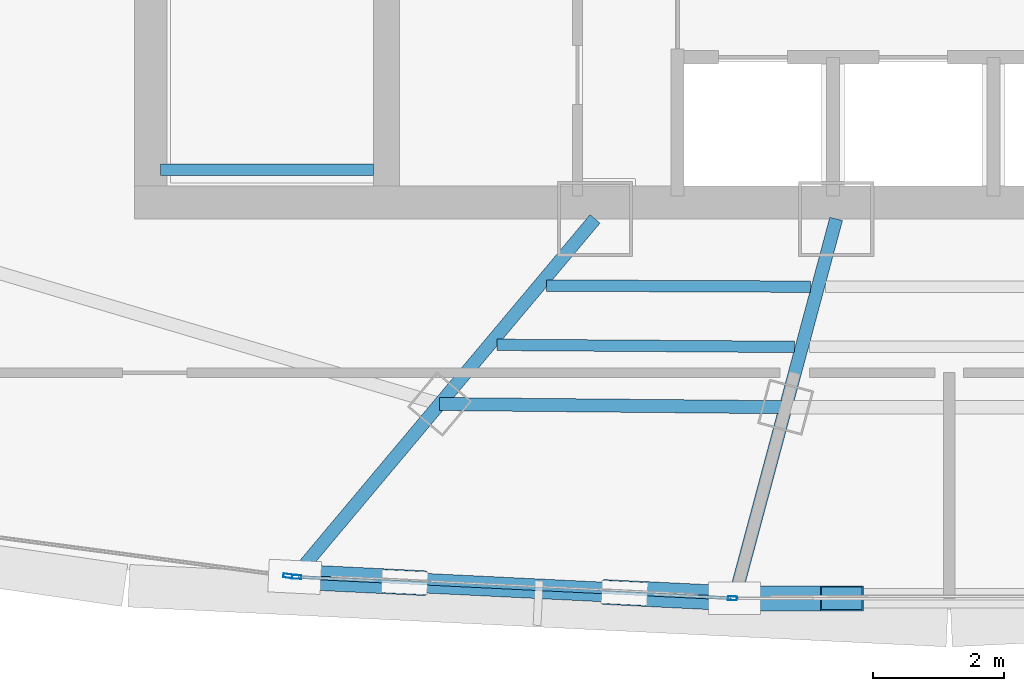
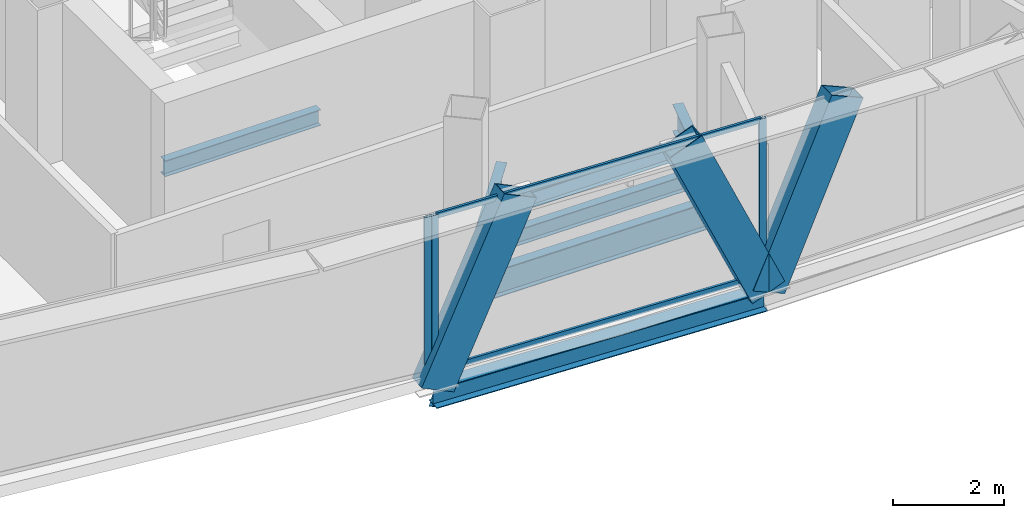
# One storey, part 4 of 28: 8 members, 7 beams, 2 elements without a shape of their own.
"""IFC4 building model written with IfcOpenShell, lengths in metres."""

import ifcopenshell
import ifcopenshell.guid

model = None  # the IFC model being written
_history = None  # IfcOwnerHistory: only IFC2X3 demands one
_inside = {}  # id of a spatial element -> (the spatial element, [elements in it])
_under = {}  # id of a project, library or spatial element -> (it, [spatial elements below it])
_declared = {}  # id of a project -> (the project, [libraries it declares])
_typed = {}  # id of a type object -> (the type object, [elements of that type])
_made_of = {}  # id of a material, layer set ... -> (it, [elements and type objects made of it])


def new_model(schema):
    """Start an empty IFC model of exactly this schema.

    Asked for "IFC4X3", IfcOpenShell would pick the latest addendum, in which some entities
    have other attributes; the version numbers below select the first issue.
    IFC2X3 requires an IfcOwnerHistory on every rooted entity: one is made here for all.
    """
    global model, _history
    if schema == "IFC4X3":
        model = ifcopenshell.file(schema_version=(4, 3, 0, 0))
    else:
        model = ifcopenshell.file(schema=schema)
    _inside.clear()
    _under.clear()
    _declared.clear()
    _typed.clear()
    _made_of.clear()
    _history = None
    if model.schema == "IFC2X3":
        org = make("IfcOrganization", Name="unknown")
        user = make(
            "IfcPersonAndOrganization",
            ThePerson=make("IfcPerson", FamilyName="unknown"),
            TheOrganization=org,
        )
        app = make(
            "IfcApplication",
            ApplicationDeveloper=org,
            Version="unknown",
            ApplicationFullName="unknown",
            ApplicationIdentifier="unknown",
        )
        _history = make(
            "IfcOwnerHistory",
            OwningUser=user,
            OwningApplication=app,
            ChangeAction="ADDED",
            CreationDate=0,
        )
    return model


def make(cls, **values):
    """One entity of the class cls with the attributes given. An attribute that is None is left unset."""
    return model.create_entity(
        cls, **{name: value for name, value in values.items() if value is not None}
    )


def rooted(cls, **values):
    """An entity with a GlobalId (a new one), such as an element, a storey or a relation."""
    return make(cls, GlobalId=ifcopenshell.guid.new(), OwnerHistory=_history, **values)


def si_unit(unit_type, name, prefix=None):
    """IfcSIUnit, for example si_unit("LENGTHUNIT", "METRE", prefix="MILLI")."""
    return make("IfcSIUnit", UnitType=unit_type, Prefix=prefix, Name=name)


def assignment(units):
    """IfcUnitAssignment: the units of a project."""
    return None if units is None else make("IfcUnitAssignment", Units=units)


def point(xyz):
    """IfcCartesianPoint."""
    return None if xyz is None else make("IfcCartesianPoint", Coordinates=xyz)


def direction(xyz):
    """IfcDirection."""
    return None if xyz is None else make("IfcDirection", DirectionRatios=xyz)


def frame(location, z_axis=None, x_axis=None):
    """IfcAxis2Placement3D, a coordinate frame: its origin and axes. An axis left out is left unset."""
    return make(
        "IfcAxis2Placement3D",
        Location=point(location),
        Axis=direction(z_axis),
        RefDirection=direction(x_axis),
    )


def frame_2d(location, x_axis=None):
    """IfcAxis2Placement2D, a coordinate frame in the plane: its origin and x axis."""
    return make(
        "IfcAxis2Placement2D", Location=point(location), RefDirection=direction(x_axis)
    )


def origin():
    """The frame at (0, 0, 0) with its axes left unset."""
    return frame((0.0, 0.0, 0.0))


def origin_2d():
    """The frame at (0, 0) in the plane with its x axis left unset."""
    return frame_2d((0.0, 0.0))


def place(relative_to, where):
    """IfcLocalPlacement: puts the frame where relative to a parent placement (None: the world)."""
    return make(
        "IfcLocalPlacement", PlacementRelTo=relative_to, RelativePlacement=where
    )


def context(
    kind, dimensions, precision=None, world=None, true_north=None, identifier=None
):
    """IfcGeometricRepresentationContext, for example the 3D "Model" context."""
    return make(
        "IfcGeometricRepresentationContext",
        ContextIdentifier=identifier,
        ContextType=kind,
        CoordinateSpaceDimension=dimensions,
        Precision=precision,
        WorldCoordinateSystem=world,
        TrueNorth=true_north,
    )


def subcontext(parent, identifier, kind, view, scale=None):
    """IfcGeometricRepresentationSubContext, for example "Body" below "Model"."""
    return make(
        "IfcGeometricRepresentationSubContext",
        ContextIdentifier=identifier,
        ContextType=kind,
        ParentContext=parent,
        TargetScale=scale,
        TargetView=view,
    )


def project(units=None, contexts=None):
    """IfcProject with its units and contexts."""
    return rooted(
        "IfcProject",
        Name="project",
        RepresentationContexts=contexts,
        UnitsInContext=assignment(units),
    )


def spatial(cls, under=None, at=None, **own):
    """A site, building, storey or space (cls), placed at a placement, below another one or the project."""
    s = rooted(cls, ObjectPlacement=at, **own)
    if under is not None:
        _under.setdefault(under.id(), (under, []))[1].append(s)
    return s


def profile(cls, at=None, kind="AREA", **sizes):
    """A parametric profile (cls). Its sizes go by their IFC names, for example OverallWidth=200.0."""
    return make(cls, ProfileType=kind, Position=at, **sizes)


def hollow_rectangle(**sizes):
    """IfcRectangleHollowProfileDef."""
    return profile("IfcRectangleHollowProfileDef", **sizes)


def i_section(**sizes):
    """IfcIShapeProfileDef."""
    return profile("IfcIShapeProfileDef", **sizes)


def extrude(swept, where, along, depth):
    """IfcExtrudedAreaSolid: the profile swept, set in the frame where, extruded along a direction by depth."""
    return make(
        "IfcExtrudedAreaSolid",
        SweptArea=swept,
        Position=where,
        ExtrudedDirection=direction(along),
        Depth=depth,
    )


def shape(context_of_items, identifier, shape_type, items):
    """IfcShapeRepresentation: the items that make up one representation, for example the "Body"."""
    return make(
        "IfcShapeRepresentation",
        ContextOfItems=context_of_items,
        RepresentationIdentifier=identifier,
        RepresentationType=shape_type,
        Items=items,
    )


def source(mapping_origin, context_of_items, identifier, shape_type, items):
    """IfcRepresentationMap: a shape defined once, which mapped items show again and again."""
    return make(
        "IfcRepresentationMap",
        MappingOrigin=mapping_origin,
        MappedRepresentation=shape(context_of_items, identifier, shape_type, items),
    )


def transform(
    local_origin,
    x_axis=None,
    y_axis=None,
    z_axis=None,
    scale=None,
    scale2=None,
    scale3=None,
    uniform=True,
):
    """IfcCartesianTransformationOperator3D, or its non-uniform kind. x_axis, y_axis, z_axis: its Axis1, 2, 3."""
    if uniform:
        return make(
            "IfcCartesianTransformationOperator3D",
            Axis1=direction(x_axis),
            Axis2=direction(y_axis),
            LocalOrigin=point(local_origin),
            Scale=scale,
            Axis3=direction(z_axis),
        )
    return make(
        "IfcCartesianTransformationOperator3DnonUniform",
        Axis1=direction(x_axis),
        Axis2=direction(y_axis),
        LocalOrigin=point(local_origin),
        Scale=scale,
        Axis3=direction(z_axis),
        Scale2=scale2,
        Scale3=scale3,
    )


def mapped(mapping_source, mapping_target):
    """IfcMappedItem: shows the shape of a source again, moved by a transform."""
    return make(
        "IfcMappedItem", MappingSource=mapping_source, MappingTarget=mapping_target
    )


def material(Name=None, Category=None):
    """IfcMaterial."""
    return make("IfcMaterial", Name=Name, Category=Category)


def layer(
    of_material, thickness, ventilated=None, Name=None, Category=None, Priority=None
):
    """IfcMaterialLayer: one layer of a wall or slab, of a material (None: an air gap)."""
    return make(
        "IfcMaterialLayer",
        Material=of_material,
        LayerThickness=thickness,
        IsVentilated=ventilated,
        Name=Name,
        Category=Category,
        Priority=Priority,
    )


def layer_set(layers, Name=None):
    """IfcMaterialLayerSet."""
    return make("IfcMaterialLayerSet", MaterialLayers=layers, LayerSetName=Name)


def material_profile(
    of_material, cross_section, Name=None, Category=None, Priority=None
):
    """IfcMaterialProfile: a cross section and its material."""
    return make(
        "IfcMaterialProfile",
        Name=Name,
        Material=of_material,
        Profile=cross_section,
        Priority=Priority,
        Category=Category,
    )


def profile_set(profiles, Name=None, composite=None):
    """IfcMaterialProfileSet."""
    return make(
        "IfcMaterialProfileSet",
        Name=Name,
        MaterialProfiles=profiles,
        CompositeProfile=composite,
    )


def made_of(thing, what):
    """Note that an element or type object is made of a material, layer set ...; save() writes the relation."""
    if what is not None:
        _made_of.setdefault(what.id(), (what, []))[1].append(thing)
    return thing


def type_object(cls, material=None, **own):
    """A type object (cls), such as IfcWallType, which elements share."""
    return made_of(rooted(cls, **own), material)


def element(
    cls,
    number,
    at=None,
    inside=None,
    cuts=None,
    type_object=None,
    material=None,
    context=None,
    identifier="Body",
    shape_type=None,
    held_by="IfcProductDefinitionShape",
    body=None,
    shapes=None,
    **own,
):
    """One element of the class cls, such as IfcWall. Its Tag is "e" and its number.

    at: its placement. inside: the storey or other place that contains it. cuts: it is an
    opening in that element (IfcRelVoidsElement). A single representation is given by context,
    identifier, shape_type and body (its items); several are given by shapes. held_by: the class
    of the entity that holds the representations. save() writes the other relations.
    """
    e = rooted(cls, Tag="e%d" % number, ObjectPlacement=at, **own)
    if body is not None:
        shapes = [shape(context, identifier, shape_type, body)]
    if shapes is not None:
        e.Representation = make(held_by, Representations=shapes)
    if inside is not None:
        _inside.setdefault(inside.id(), (inside, []))[1].append(e)
    if cuts is not None:
        rooted(
            "IfcRelVoidsElement", RelatingBuildingElement=cuts, RelatedOpeningElement=e
        )
    if type_object is not None:
        _typed.setdefault(type_object.id(), (type_object, []))[1].append(e)
    return made_of(e, material)


def aggregate(whole, parts):
    """IfcRelAggregates: a whole, such as a stair, and the parts it consists of."""
    return rooted("IfcRelAggregates", RelatingObject=whole, RelatedObjects=parts)


def save(model, path):
    """Write the relations noted so far, then the file.

    IfcRelAggregates (storeys below a building ...), IfcRelContainedInSpatialStructure (elements
    in a storey), IfcRelDefinesByType, IfcRelAssociatesMaterial and IfcRelDeclares: one each for
    every whole, place, type object, material and project.
    """
    for whole, parts in _under.values():
        aggregate(whole, parts)
    for where, things in _inside.values():
        rooted(
            "IfcRelContainedInSpatialStructure",
            RelatedElements=things,
            RelatingStructure=where,
        )
    for kind, things in _typed.values():
        rooted("IfcRelDefinesByType", RelatedObjects=things, RelatingType=kind)
    for what, things in _made_of.values():
        rooted("IfcRelAssociatesMaterial", RelatedObjects=things, RelatingMaterial=what)
    for by, libraries in _declared.values():
        rooted("IfcRelDeclares", RelatingContext=by, RelatedDefinitions=libraries)
    model.write(path)


model = new_model("IFC4")

# Units and contexts
model_context = context("Model", 3, precision=1e-05, world=origin(), true_north=direction((0.0, 1.0)))
body_context = subcontext(model_context, "Body", "Model", "MODEL_VIEW")
ifc_project = project(units=[si_unit("LENGTHUNIT", "METRE"), si_unit("AREAUNIT", "SQUARE_METRE"), si_unit("VOLUMEUNIT", "CUBIC_METRE"), si_unit("PLANEANGLEUNIT", "RADIAN"), si_unit("MASSUNIT", "GRAM", prefix="KILO"), si_unit("THERMODYNAMICTEMPERATUREUNIT", "KELVIN"), si_unit("POWERUNIT", "WATT")], contexts=[model_context])

# Site, building, storey
site_placement = place(None, origin())
site = spatial("IfcSite", under=ifc_project, at=site_placement, CompositionType="ELEMENT")
building_placement = place(site_placement, origin())
building = spatial("IfcBuilding", under=site, at=building_placement, Name="Yunzhuo Pagoda Commons", CompositionType="ELEMENT")
storey_placement = place(building_placement, frame((0.0, 0.0, 336.760009765625)))
storey = spatial("IfcBuildingStorey", under=building, at=storey_placement, Name="L84", CompositionType="ELEMENT", Elevation=336.760009765625)

# Beams
ifc_material_1 = material(Name="Structural steel Q355B", Category="steel")
ifc_material_profile_1 = material_profile(ifc_material_1, i_section(OverallWidth=0.175048828125, OverallDepth=0.35009765625, WebThickness=0.007080078125, FlangeThickness=0.010986328125, at=origin_2d()), Name="Structural steel Q355B")
ifc_profile_set_1 = profile_set([ifc_material_profile_1], Name="Structural steel Q355B")
beam_type_1 = type_object("IfcBeamType", Name="B-JS2 Joist HN 350x175x7x11", PredefinedType="JOIST", material=ifc_profile_set_1)
shared_shape_1 = source(origin(), body_context, "Body", "SweptSolid", [
    extrude(i_section(OverallWidth=0.175048828125, OverallDepth=0.35009765625, WebThickness=0.007080078125, FlangeThickness=0.010986328125, at=origin_2d()), origin(), (0.0, 0.0, 1.0), 3.25),
])
beam_1_placement = place(storey_placement, frame((35.949951171875, 28.0, 1.5), z_axis=(1.0, 0.0, 0.0), x_axis=(0.0, 1.0, 0.0)))
element("IfcBeam", 1, at=beam_1_placement, inside=storey, type_object=beam_type_1, Name="L84 ST1 landing support beam 90A", PredefinedType="JOIST", context=body_context, shape_type="MappedRepresentation", body=[
    mapped(shared_shape_1, transform((0.0, 0.0, 0.0), scale=1.0)),
])
ifc_material_profile_2 = material_profile(ifc_material_1, i_section(OverallWidth=0.199951171875, OverallDepth=0.60009765625, WebThickness=0.010986328125, FlangeThickness=0.01708984375, at=origin_2d()), Name="Structural steel Q355B")
ifc_profile_set_2 = profile_set([ifc_material_profile_2], Name="Structural steel Q355B")
beam_type_2 = type_object("IfcBeamType", Name="B-RG3 Beam HN 600x200x11x17", PredefinedType="BEAM", material=ifc_profile_set_2)
shared_shape_2 = source(origin(), body_context, "Body", "SweptSolid", [
    extrude(i_section(OverallWidth=0.199951171875, OverallDepth=0.60009765625, WebThickness=0.010986328125, FlangeThickness=0.01708984375, at=origin_2d()), origin(), (0.0, 0.0, 1.0), 5.286376953125),
])
beam_2_placement = place(storey_placement, frame((40.214599609375, 24.421630859375, -0.56005859375), z_axis=(0.999957341442, -0.009236627946, 0.0), x_axis=(0.009236627946, 0.999957341442, 0.0)))
element("IfcBeam", 2, at=beam_2_placement, inside=storey, type_object=beam_type_2, Name="L84 column-ring beam 1", PredefinedType="BEAM", context=body_context, shape_type="MappedRepresentation", body=[
    mapped(shared_shape_2, transform((0.0, 0.0, 0.0), scale=1.0)),
])
shared_shape_3 = source(origin(), body_context, "Body", "SweptSolid", [
    extrude(i_section(OverallWidth=0.175048828125, OverallDepth=0.35009765625, WebThickness=0.007080078125, FlangeThickness=0.010986328125, at=origin_2d()), origin(), (0.0, 0.0, 1.0), 4.03076171875),
])
beam_3_placement = place(storey_placement, frame((41.848388671875, 26.231201171875, -0.43505859375), z_axis=(0.999991518197, -0.004118680996, 0.0), x_axis=(0.004118680996, 0.999991518197, 0.0)))
element("IfcBeam", 3, at=beam_3_placement, inside=storey, type_object=beam_type_1, Name="L84 composite ring joist 1.1", PredefinedType="JOIST", context=body_context, shape_type="MappedRepresentation", body=[
    mapped(shared_shape_3, transform((0.0, 0.0, 0.0), scale=1.0)),
])
shared_shape_4 = source(origin(), body_context, "Body", "SweptSolid", [
    extrude(i_section(OverallWidth=0.175048828125, OverallDepth=0.35009765625, WebThickness=0.007080078125, FlangeThickness=0.010986328125, at=origin_2d()), origin(), (0.0, 0.0, 1.0), 4.54345703125),
])
beam_4_placement = place(storey_placement, frame((41.089111328125, 25.325927734375, -0.43505859375), z_axis=(0.999975976237, -0.006931590593, 0.0), x_axis=(0.006931590593, 0.999975976237, 0.0)))
element("IfcBeam", 4, at=beam_4_placement, inside=storey, type_object=beam_type_1, Name="L84 composite ring joist 2.1", PredefinedType="JOIST", context=body_context, shape_type="MappedRepresentation", body=[
    mapped(shared_shape_4, transform((0.0, 0.0, 0.0), scale=1.0)),
])
shared_shape_5 = source(origin(), body_context, "Body", "SweptSolid", [
    extrude(i_section(OverallWidth=0.199951171875, OverallDepth=0.60009765625, WebThickness=0.010986328125, FlangeThickness=0.01708984375, at=origin_2d()), origin(), (0.0, 0.0, 1.0), 6.983642578125),
])
beam_5_placement = place(storey_placement, frame((38.098876953125, 21.900390625, -0.56005859375), z_axis=(0.642800921459, 0.766033273019, 0.0), x_axis=(-0.766033273019, 0.642800921459, 0.0)))
element("IfcBeam", 5, at=beam_5_placement, inside=storey, type_object=beam_type_2, Name="L84 radial floor girder F1C1", PredefinedType="BEAM", context=body_context, shape_type="MappedRepresentation", body=[
    mapped(shared_shape_5, transform((0.0, 0.0, 0.0), scale=1.0)),
])
shared_shape_6 = source(origin(), body_context, "Body", "SweptSolid", [
    extrude(i_section(OverallWidth=0.199951171875, OverallDepth=0.60009765625, WebThickness=0.010986328125, FlangeThickness=0.01708984375, at=origin_2d()), origin(), (0.0, 0.0, 1.0), 5.84716796875),
])
beam_6_placement = place(storey_placement, frame((44.75830078125, 21.60205078125, -0.56005859375), z_axis=(0.258868261123, 0.965912637552, 0.0), x_axis=(-0.965912637552, 0.258868261123, 0.0)))
element("IfcBeam", 6, at=beam_6_placement, inside=storey, type_object=beam_type_2, Name="L84 radial floor girder F1C2", PredefinedType="BEAM", context=body_context, shape_type="MappedRepresentation", body=[
    mapped(shared_shape_6, transform((0.0, 0.0, 0.0), scale=1.0)),
])
ifc_material_profile_3 = material_profile(ifc_material_1, i_section(OverallWidth=0.300048828125, OverallDepth=0.43994140625, WebThickness=0.010986328125, FlangeThickness=0.01806640625, at=origin_2d()), Name="Structural steel Q355B")
ifc_profile_set_3 = profile_set([ifc_material_profile_3], Name="Structural steel Q355B")
beam_type_3 = type_object("IfcBeamType", Name="B-SP2 Beam HM 440x300x11x18", PredefinedType="BEAM", material=ifc_profile_set_3)
shared_shape_7 = source(origin(), body_context, "Body", "SweptSolid", [
    extrude(i_section(OverallWidth=0.300048828125, OverallDepth=0.43994140625, WebThickness=0.010986328125, FlangeThickness=0.01806640625, at=origin_2d()), origin(), (0.0, 0.0, 1.0), 6.727294921875),
])
beam_7_placement = place(storey_placement, frame((37.9990234375, 21.781494140625, -0.47998046875), z_axis=(0.998802682638, -0.048920355214, 0.0), x_axis=(0.048920355214, 0.998802682638, 0.0)))
element("IfcBeam", 7, at=beam_7_placement, inside=storey, type_object=beam_type_3, Name="L84 facade edge spandrel beam F1.1", PredefinedType="BEAM", context=body_context, shape_type="MappedRepresentation", body=[
    mapped(shared_shape_7, transform((0.0, 0.0, 0.0), scale=1.0)),
])

# Members
ifc_material_profile_4 = material_profile(ifc_material_1, hollow_rectangle(XDim=0.3798828125, YDim=0.719970703125, WallThickness=0.02001953125, at=origin_2d()), Name="Structural steel Q355B")
ifc_profile_set_4 = profile_set([ifc_material_profile_4], Name="Structural steel Q355B")
member_type_1 = type_object("IfcMemberType", Name="M-DL3 Brace BOX 720x380x20", PredefinedType="BRACE", material=ifc_profile_set_4)
shared_shape_8 = source(origin(), body_context, "Body", "SweptSolid", [
    extrude(hollow_rectangle(XDim=0.3798828125, YDim=0.719970703125, WallThickness=0.02001953125, at=origin_2d()), origin(), (0.0, 0.0, 1.0), 4.10986328125),
])
for number, where, z_axis, x_axis, name in (
    (8, (37.9990234375, 21.781494140625, -0.260009765625), (0.408750482324, -0.020018734565, 0.912426596207), (0.048916808978, 0.998802856323, 0.0), "L84 facade diamond brace F1.1L"),
    (9, (44.71826171875, 21.452392578125, -0.260009765625), (-0.408701002584, 0.020019220621, 0.912448749954), (-0.048923901963, -0.998802508916, 0.0), "L84 facade diamond brace F1.1R"),
):
    element("IfcMember", number, at=place(storey_placement, frame(where, z_axis=z_axis, x_axis=x_axis)), inside=storey, type_object=member_type_1, Name=name, PredefinedType="BRACE", context=body_context, shape_type="MappedRepresentation", body=[
        mapped(shared_shape_8, transform((0.0, 0.0, 0.0), scale=1.0)),
    ])
shared_shape_9 = source(origin(), body_context, "Body", "SweptSolid", [
    extrude(hollow_rectangle(XDim=0.3798828125, YDim=0.719970703125, WallThickness=0.02001953125, at=origin_2d()), origin(), (0.0, 0.0, 1.0), 4.09326171875),
])
member_1_placement = place(storey_placement, frame((44.71826171875, 21.452392578125, -0.260009765625), z_axis=(0.400868895467, 0.0, 0.91613543139), x_axis=(0.0, 1.0, 0.0)))
element("IfcMember", 10, at=member_1_placement, inside=storey, type_object=member_type_1, Name="L84 facade diamond brace F1.2L", PredefinedType="BRACE", context=body_context, shape_type="MappedRepresentation", body=[
    mapped(shared_shape_9, transform((0.0, 0.0, 0.0), scale=1.0)),
])

# Curtain wall, members
ifc_material_2 = material(Name="Anodized aluminium 6063-T6", Category="aluminium")
ifc_layer = layer(ifc_material_2, 0.139892578125)
ifc_layer_set = layer_set([ifc_layer], Name="Anodized aluminium 6063-T6")
curtain_wall_type = type_object("IfcCurtainWallType", Name="CW-HI High-Zone Ribbon Curtain Wall", PredefinedType="NOTDEFINED", material=ifc_layer_set)
curtain_wall_1_placement = place(storey_placement, origin())
curtain_wall_1 = element("IfcCurtainWall", 11, at=curtain_wall_1_placement, inside=storey, type_object=curtain_wall_type, Name="L84 curtain wall CW-L84-F1B2", PredefinedType="NOTDEFINED")
ifc_material_profile_5 = material_profile(ifc_material_2, hollow_rectangle(XDim=0.06005859375, YDim=0.139892578125, WallThickness=0.00341796875, at=origin_2d()), Name="Anodized aluminium 6063-T6")
ifc_profile_set_5 = profile_set([ifc_material_profile_5], Name="Anodized aluminium 6063-T6")
member_type_2 = type_object("IfcMemberType", Name="CW-HI-M Mullion RHS 140x60x3.5", PredefinedType="MULLION", material=ifc_profile_set_5)
shared_shape_10 = source(origin(), body_context, "Body", "SweptSolid", [
    extrude(hollow_rectangle(XDim=0.06005859375, YDim=0.139892578125, WallThickness=0.00341796875, at=origin_2d()), origin(), (0.0, 0.0, 1.0), 3.489990234375),
])
member_2_placement = place(storey_placement, frame((38.029052734375, 21.780029296875, 0.0), z_axis=(0.0, 0.0, 1.0), x_axis=(0.048905572213, 0.998803406585, 0.0)))
member_2 = element("IfcMember", 12, at=member_2_placement, type_object=member_type_2, Name="CW mullion 1", PredefinedType="MULLION", context=body_context, shape_type="MappedRepresentation", body=[
    mapped(shared_shape_10, transform((0.0, 0.0, 0.0), scale=1.0)),
])
member_3_placement = place(storey_placement, frame((44.688232421875, 21.453857421875, 0.0), z_axis=(0.0, 0.0, 1.0), x_axis=(0.048905572213, 0.998803406585, 0.0)))
member_3 = element("IfcMember", 13, at=member_3_placement, type_object=member_type_2, Name="CW mullion 2", PredefinedType="MULLION", context=body_context, shape_type="MappedRepresentation", body=[
    mapped(shared_shape_10, transform((0.0, 0.0, 0.0), scale=1.0)),
])

# Curtain wall, member
curtain_wall_2_placement = place(storey_placement, origin())
curtain_wall_2 = element("IfcCurtainWall", 14, at=curtain_wall_2_placement, inside=storey, type_object=curtain_wall_type, Name="L84 curtain wall CW-L84-F1B1", PredefinedType="NOTDEFINED")
member_4_placement = place(storey_placement, frame((37.895263671875, 21.795166015625, 0.0), z_axis=(0.0, 0.0, 1.0), x_axis=(0.132068741636, 0.991240559845, 0.0)))
member_4 = element("IfcMember", 15, at=member_4_placement, type_object=member_type_2, Name="CW mullion 2", PredefinedType="MULLION", context=body_context, shape_type="MappedRepresentation", body=[
    mapped(shared_shape_10, transform((0.0, 0.0, 0.0), scale=1.0)),
])
aggregate(curtain_wall_2, [member_4])

# Member
ifc_material_profile_6 = material_profile(ifc_material_2, hollow_rectangle(XDim=0.054931640625, YDim=0.1201171875, WallThickness=0.00341796875, at=origin_2d()), Name="Anodized aluminium 6063-T6")
ifc_profile_set_6 = profile_set([ifc_material_profile_6], Name="Anodized aluminium 6063-T6")
member_type_3 = type_object("IfcMemberType", Name="CW-HI-T Transom RHS 120x55x3.5", PredefinedType="USERDEFINED", material=ifc_profile_set_6)
shared_shape_11 = source(origin(), body_context, "Body", "SweptSolid", [
    extrude(hollow_rectangle(XDim=0.054931640625, YDim=0.1201171875, WallThickness=0.00341796875, at=origin_2d()), origin(), (0.0, 0.0, 1.0), 6.607177734375),
])
member_5_placement = place(storey_placement, frame((38.05908203125, 21.77880859375, 0.027587890625), z_axis=(0.998800788533, -0.048959011683, 0.0), x_axis=(0.048959011683, 0.998800788533, 0.0)))
member_5 = element("IfcMember", 16, at=member_5_placement, type_object=member_type_3, Name="CW transom 1.1", ObjectType="TRANSOM", PredefinedType="USERDEFINED", context=body_context, shape_type="MappedRepresentation", body=[
    mapped(shared_shape_11, transform((0.0, 0.0, 0.0), scale=1.0)),
])

member_6_placement = place(storey_placement, frame((38.05908203125, 21.77880859375, 3.46240234375), z_axis=(0.998800788533, -0.048959011683, 0.0), x_axis=(0.048959011683, 0.998800788533, 0.0)))
member_6 = element("IfcMember", 17, at=member_6_placement, type_object=member_type_3, Name="CW transom 1.2", ObjectType="TRANSOM", PredefinedType="USERDEFINED", context=body_context, shape_type="MappedRepresentation", body=[
    mapped(shared_shape_11, transform((0.0, 0.0, 0.0), scale=1.0)),
])

aggregate(curtain_wall_1, [member_2, member_3, member_5, member_6])

save(model, "model.ifc")
